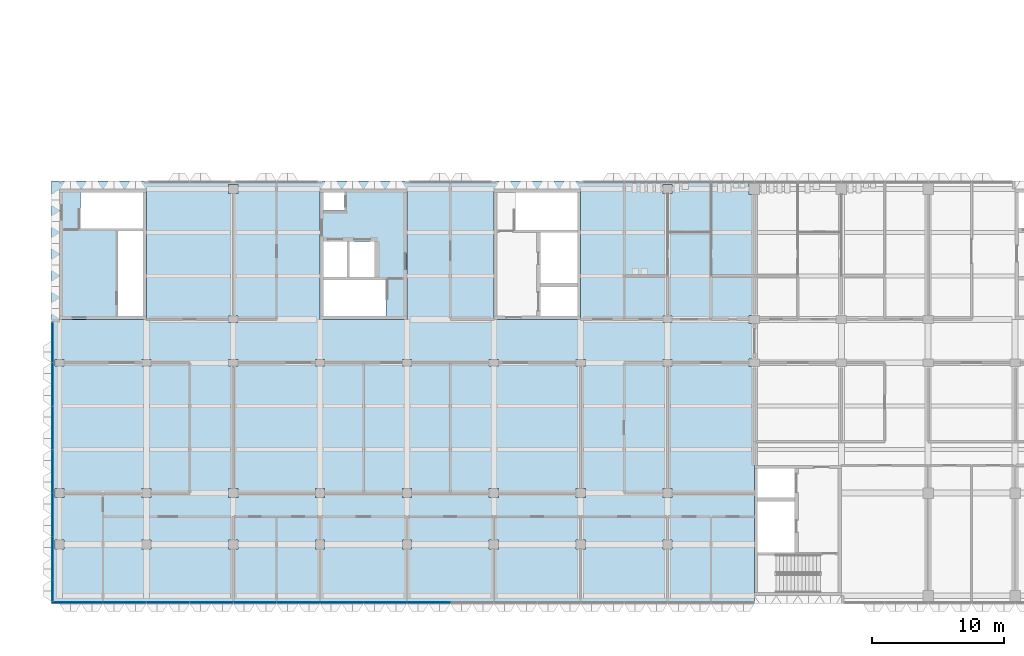
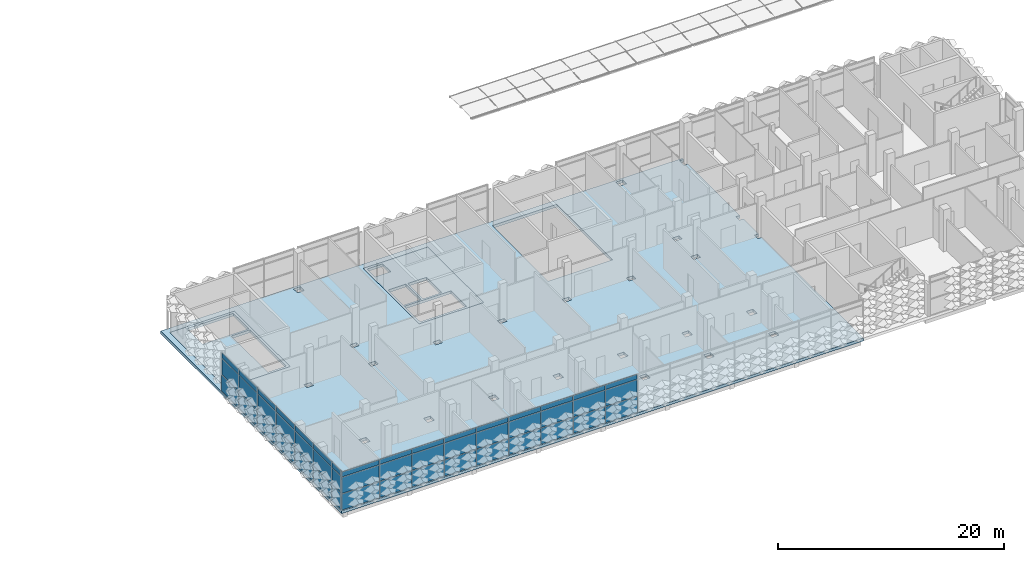
# One storey, part 14 of 61: 48 plates, 3 slabs, 2 elements without a shape of their own.
"""IFC4 building model written with IfcOpenShell, lengths in metres."""

from ifc_helpers import new_model, si_unit, direction, frame, origin, origin_2d, place, context, subcontext, project, spatial, polyline, rectangle, outline, extrude, material, layer, layer_set, type_object, element, aggregate, save


model = new_model("IFC4")

# Units and contexts
model_context = context("Model", 3, precision=1e-05, world=origin(), true_north=direction((0.0, 1.0)))
body_context = subcontext(model_context, "Body", "Model", "MODEL_VIEW")
ifc_project = project(units=[si_unit("LENGTHUNIT", "METRE"), si_unit("AREAUNIT", "SQUARE_METRE"), si_unit("VOLUMEUNIT", "CUBIC_METRE"), si_unit("PLANEANGLEUNIT", "RADIAN"), si_unit("MASSUNIT", "GRAM", prefix="KILO")], contexts=[model_context])

# Site, building, storey
site_placement = place(None, origin())
site = spatial("IfcSite", under=ifc_project, at=site_placement, CompositionType="ELEMENT")
building_placement = place(site_placement, origin())
building = spatial("IfcBuilding", under=site, at=building_placement, Name="Lantern Court Research Institute", CompositionType="ELEMENT")
storey_placement = place(building_placement, frame((0.0, 0.0, 23.39990234375)))
storey = spatial("IfcBuildingStorey", under=building, at=storey_placement, Name="L05", CompositionType="ELEMENT", Elevation=23.39990234375)

# Curtain wall, plates
ifc_material_1 = material(Name="Aluminium alloy 6063-T6", Category="aluminium")
curtain_wall_type_1 = type_object("IfcCurtainWallType", Name="Curtain wall 53400 x 4200 x 150 aluminium frame", PredefinedType="NOTDEFINED", material=ifc_material_1)
curtain_wall_1_placement = place(storey_placement, origin())
curtain_wall_1 = element("IfcCurtainWall", 1, at=curtain_wall_1_placement, inside=storey, type_object=curtain_wall_type_1, Name="Curtain wall CW072", PredefinedType="NOTDEFINED")
ifc_material_2 = material(Name="Insulated aluminium spandrel panel", Category="aluminium")
ifc_layer_1 = layer(ifc_material_2, 0.10009765625)
ifc_layer_set_1 = layer_set([ifc_layer_1], Name="Insulated aluminium spandrel panel")
plate_type_1 = type_object("IfcPlateType", Name="Insulated spandrel panel 100 mm for south sun", PredefinedType="CURTAIN_PANEL", material=ifc_layer_set_1)
plate_1_placement = place(storey_placement, frame((1.364990234375, -8.324951171875, 0.06005859375), z_axis=(0.0, 0.0, 1.0), x_axis=(-1.0, 0.0, 0.0)))
plate_1 = element("IfcPlate", 2, at=plate_1_placement, type_object=plate_type_1, Name="CW072 spandrel panel 1.1", PredefinedType="CURTAIN_PANEL", context=body_context, shape_type="SweptSolid", body=[
    extrude(rectangle(XDim=3.81005859375, YDim=0.10009765625, at=origin_2d()), origin(), (0.0, 0.0, 1.0), 1.7099609375),
])
plate_2_placement = place(storey_placement, frame((4.949951171875, -8.324951171875, 0.06005859375), z_axis=(0.0, 0.0, 1.0), x_axis=(-1.0, 0.0, 0.0)))
plate_2 = element("IfcPlate", 3, at=plate_2_placement, type_object=plate_type_1, Name="CW072 spandrel panel 2.1", PredefinedType="CURTAIN_PANEL", context=body_context, shape_type="SweptSolid", body=[
    extrude(rectangle(XDim=3.239990234375, YDim=0.10009765625, at=origin_2d()), origin(), (0.0, 0.0, 1.0), 1.7099609375),
])
plate_3_placement = place(storey_placement, frame((8.25, -8.324951171875, 0.06005859375), z_axis=(0.0, 0.0, 1.0), x_axis=(-1.0, 0.0, 0.0)))
plate_3 = element("IfcPlate", 4, at=plate_3_placement, type_object=plate_type_1, Name="CW072 spandrel panel 3.1", PredefinedType="CURTAIN_PANEL", context=body_context, shape_type="SweptSolid", body=[
    extrude(rectangle(XDim=3.239990234375, YDim=0.10009765625, at=origin_2d()), origin(), (0.0, 0.0, 1.0), 1.7099609375),
])
plate_4_placement = place(storey_placement, frame((11.550048828125, -8.324951171875, 0.06005859375), z_axis=(0.0, 0.0, 1.0), x_axis=(-1.0, 0.0, 0.0)))
plate_4 = element("IfcPlate", 5, at=plate_4_placement, type_object=plate_type_1, Name="CW072 spandrel panel 4.1", PredefinedType="CURTAIN_PANEL", context=body_context, shape_type="SweptSolid", body=[
    extrude(rectangle(XDim=3.239990234375, YDim=0.10009765625, at=origin_2d()), origin(), (0.0, 0.0, 1.0), 1.7099609375),
])
plate_5_placement = place(storey_placement, frame((14.85009765625, -8.324951171875, 0.06005859375), z_axis=(0.0, 0.0, 1.0), x_axis=(-1.0, 0.0, 0.0)))
plate_5 = element("IfcPlate", 6, at=plate_5_placement, type_object=plate_type_1, Name="CW072 spandrel panel 5.1", PredefinedType="CURTAIN_PANEL", context=body_context, shape_type="SweptSolid", body=[
    extrude(rectangle(XDim=3.239990234375, YDim=0.10009765625, at=origin_2d()), origin(), (0.0, 0.0, 1.0), 1.7099609375),
])
plate_6_placement = place(storey_placement, frame((18.14990234375, -8.324951171875, 0.06005859375), z_axis=(0.0, 0.0, 1.0), x_axis=(-1.0, 0.0, 0.0)))
plate_6 = element("IfcPlate", 7, at=plate_6_placement, type_object=plate_type_1, Name="CW072 spandrel panel 6.1", PredefinedType="CURTAIN_PANEL", context=body_context, shape_type="SweptSolid", body=[
    extrude(rectangle(XDim=3.239990234375, YDim=0.10009765625, at=origin_2d()), origin(), (0.0, 0.0, 1.0), 1.7099609375),
])
plate_7_placement = place(storey_placement, frame((21.449951171875, -8.324951171875, 0.06005859375), z_axis=(0.0, 0.0, 1.0), x_axis=(-1.0, 0.0, 0.0)))
plate_7 = element("IfcPlate", 8, at=plate_7_placement, type_object=plate_type_1, Name="CW072 spandrel panel 7.1", PredefinedType="CURTAIN_PANEL", context=body_context, shape_type="SweptSolid", body=[
    extrude(rectangle(XDim=3.239990234375, YDim=0.10009765625, at=origin_2d()), origin(), (0.0, 0.0, 1.0), 1.7099609375),
])
plate_8_placement = place(storey_placement, frame((24.75, -8.324951171875, 0.06005859375), z_axis=(0.0, 0.0, 1.0), x_axis=(-1.0, 0.0, 0.0)))
plate_8 = element("IfcPlate", 9, at=plate_8_placement, type_object=plate_type_1, Name="CW072 spandrel panel 8.1", PredefinedType="CURTAIN_PANEL", context=body_context, shape_type="SweptSolid", body=[
    extrude(rectangle(XDim=3.239990234375, YDim=0.10009765625, at=origin_2d()), origin(), (0.0, 0.0, 1.0), 1.7099609375),
])
plate_9_placement = place(storey_placement, frame((28.050048828125, -8.324951171875, 0.06005859375), z_axis=(0.0, 0.0, 1.0), x_axis=(-1.0, 0.0, 0.0)))
plate_9 = element("IfcPlate", 10, at=plate_9_placement, type_object=plate_type_1, Name="CW072 spandrel panel 9.1", PredefinedType="CURTAIN_PANEL", context=body_context, shape_type="SweptSolid", body=[
    extrude(rectangle(XDim=3.239990234375, YDim=0.10009765625, at=origin_2d()), origin(), (0.0, 0.0, 1.0), 1.7099609375),
])

ifc_material_3 = material(Name="Aluminium alloy 6063-T6", Category="aluminium")
curtain_wall_type_2 = type_object("IfcCurtainWallType", Name="Curtain wall 21250 x 4250 x 150 aluminium frame", PredefinedType="NOTDEFINED", material=ifc_material_3)
curtain_wall_2_placement = place(storey_placement, origin())
curtain_wall_2 = element("IfcCurtainWall", 11, at=curtain_wall_2_placement, inside=storey, type_object=curtain_wall_type_2, Name="Curtain wall CW073", PredefinedType="NOTDEFINED")
ifc_material_4 = material(Name="Insulated aluminium spandrel panel", Category="aluminium")
ifc_layer_2 = layer(ifc_material_4, 0.080078125)
ifc_layer_set_2 = layer_set([ifc_layer_2], Name="Insulated aluminium spandrel panel")
plate_type_2 = type_object("IfcPlateType", Name="Insulated spandrel panel 80 mm", PredefinedType="CURTAIN_PANEL", material=ifc_layer_set_2)
plate_10_placement = place(storey_placement, frame((-0.52490234375, -7.409912109375, 0.06005859375), z_axis=(0.0, 0.0, 1.0), x_axis=(0.0, 1.0, 0.0)))
plate_10 = element("IfcPlate", 12, at=plate_10_placement, type_object=plate_type_2, Name="CW073 spandrel panel 1.1", PredefinedType="CURTAIN_PANEL", context=body_context, shape_type="SweptSolid", body=[
    extrude(rectangle(XDim=1.56005859375, YDim=0.080078125, at=origin_2d()), origin(), (0.0, 0.0, 1.0), 1.7099609375),
])
plate_11_placement = place(storey_placement, frame((-0.52490234375, -4.949951171875, 0.06005859375), z_axis=(0.0, 0.0, 1.0), x_axis=(0.0, 1.0, 0.0)))
plate_11 = element("IfcPlate", 13, at=plate_11_placement, type_object=plate_type_2, Name="CW073 spandrel panel 2.1", PredefinedType="CURTAIN_PANEL", context=body_context, shape_type="SweptSolid", body=[
    extrude(rectangle(XDim=3.239990234375, YDim=0.080078125, at=origin_2d()), origin(), (0.0, 0.0, 1.0), 1.7099609375),
])
plate_12_placement = place(storey_placement, frame((-0.52490234375, -1.64990234375, 0.06005859375), z_axis=(0.0, 0.0, 1.0), x_axis=(0.0, 1.0, 0.0)))
plate_12 = element("IfcPlate", 14, at=plate_12_placement, type_object=plate_type_2, Name="CW073 spandrel panel 3.1", PredefinedType="CURTAIN_PANEL", context=body_context, shape_type="SweptSolid", body=[
    extrude(rectangle(XDim=3.239990234375, YDim=0.080078125, at=origin_2d()), origin(), (0.0, 0.0, 1.0), 1.7099609375),
])
plate_13_placement = place(storey_placement, frame((-0.52490234375, 1.64990234375, 0.06005859375), z_axis=(0.0, 0.0, 1.0), x_axis=(0.0, 1.0, 0.0)))
plate_13 = element("IfcPlate", 15, at=plate_13_placement, type_object=plate_type_2, Name="CW073 spandrel panel 4.1", PredefinedType="CURTAIN_PANEL", context=body_context, shape_type="SweptSolid", body=[
    extrude(rectangle(XDim=3.239990234375, YDim=0.080078125, at=origin_2d()), origin(), (0.0, 0.0, 1.0), 1.7099609375),
])
plate_14_placement = place(storey_placement, frame((-0.52490234375, 4.949951171875, 0.06005859375), z_axis=(0.0, 0.0, 1.0), x_axis=(0.0, 1.0, 0.0)))
plate_14 = element("IfcPlate", 16, at=plate_14_placement, type_object=plate_type_2, Name="CW073 spandrel panel 5.1", PredefinedType="CURTAIN_PANEL", context=body_context, shape_type="SweptSolid", body=[
    extrude(rectangle(XDim=3.239990234375, YDim=0.080078125, at=origin_2d()), origin(), (0.0, 0.0, 1.0), 1.7099609375),
])
plate_15_placement = place(storey_placement, frame((-0.52490234375, 8.25, 0.06005859375), z_axis=(0.0, 0.0, 1.0), x_axis=(0.0, 1.0, 0.0)))
plate_15 = element("IfcPlate", 17, at=plate_15_placement, type_object=plate_type_2, Name="CW073 spandrel panel 6.1", PredefinedType="CURTAIN_PANEL", context=body_context, shape_type="SweptSolid", body=[
    extrude(rectangle(XDim=3.239990234375, YDim=0.080078125, at=origin_2d()), origin(), (0.0, 0.0, 1.0), 1.7099609375),
])
plate_16_placement = place(storey_placement, frame((-0.52490234375, 11.43505859375, 0.06005859375), z_axis=(0.0, 0.0, 1.0), x_axis=(0.0, 1.0, 0.0)))
plate_16 = element("IfcPlate", 18, at=plate_16_placement, type_object=plate_type_2, Name="CW073 spandrel panel 7.1", PredefinedType="CURTAIN_PANEL", context=body_context, shape_type="SweptSolid", body=[
    extrude(rectangle(XDim=3.010009765625, YDim=0.080078125, at=origin_2d()), origin(), (0.0, 0.0, 1.0), 1.7099609375),
])
ifc_material_5 = material(Name="Laminated low-emissivity glass", Category="glass")
ifc_layer_3 = layer(ifc_material_5, 0.031982421875)
ifc_layer_set_3 = layer_set([ifc_layer_3], Name="Laminated low-emissivity glass")
plate_type_3 = type_object("IfcPlateType", Name="Laminated low-emissivity unit 32 mm", PredefinedType="CURTAIN_PANEL", material=ifc_layer_set_3)
plate_17_placement = place(storey_placement, frame((-0.52490234375, -7.409912109375, 1.830078125), z_axis=(0.0, 0.0, 1.0), x_axis=(0.0, 1.0, 0.0)))
plate_17 = element("IfcPlate", 19, at=plate_17_placement, type_object=plate_type_3, Name="CW073 glazed panel 1.2", PredefinedType="CURTAIN_PANEL", context=body_context, shape_type="SweptSolid", body=[
    extrude(rectangle(XDim=1.56005859375, YDim=0.031982421875, at=origin_2d()), origin(), (0.0, 0.0, 1.0), 1.739990234375),
])
plate_18_placement = place(storey_placement, frame((-0.52490234375, -7.409912109375, 3.630126953125), z_axis=(0.0, 0.0, 1.0), x_axis=(0.0, 1.0, 0.0)))
plate_18 = element("IfcPlate", 20, at=plate_18_placement, type_object=plate_type_3, Name="CW073 glazed panel 1.3", PredefinedType="CURTAIN_PANEL", context=body_context, shape_type="SweptSolid", body=[
    extrude(rectangle(XDim=1.56005859375, YDim=0.031982421875, at=origin_2d()), origin(), (0.0, 0.0, 1.0), 0.56005859375),
])
plate_19_placement = place(storey_placement, frame((-0.52490234375, -4.949951171875, 1.830078125), z_axis=(0.0, 0.0, 1.0), x_axis=(0.0, 1.0, 0.0)))
plate_19 = element("IfcPlate", 21, at=plate_19_placement, type_object=plate_type_3, Name="CW073 glazed panel 2.2", PredefinedType="CURTAIN_PANEL", context=body_context, shape_type="SweptSolid", body=[
    extrude(rectangle(XDim=3.239990234375, YDim=0.031982421875, at=origin_2d()), origin(), (0.0, 0.0, 1.0), 1.739990234375),
])
plate_20_placement = place(storey_placement, frame((-0.52490234375, -4.949951171875, 3.630126953125), z_axis=(0.0, 0.0, 1.0), x_axis=(0.0, 1.0, 0.0)))
plate_20 = element("IfcPlate", 22, at=plate_20_placement, type_object=plate_type_3, Name="CW073 glazed panel 2.3", PredefinedType="CURTAIN_PANEL", context=body_context, shape_type="SweptSolid", body=[
    extrude(rectangle(XDim=3.239990234375, YDim=0.031982421875, at=origin_2d()), origin(), (0.0, 0.0, 1.0), 0.56005859375),
])
plate_21_placement = place(storey_placement, frame((-0.52490234375, -1.64990234375, 1.830078125), z_axis=(0.0, 0.0, 1.0), x_axis=(0.0, 1.0, 0.0)))
plate_21 = element("IfcPlate", 23, at=plate_21_placement, type_object=plate_type_3, Name="CW073 glazed panel 3.2", PredefinedType="CURTAIN_PANEL", context=body_context, shape_type="SweptSolid", body=[
    extrude(rectangle(XDim=3.239990234375, YDim=0.031982421875, at=origin_2d()), origin(), (0.0, 0.0, 1.0), 1.739990234375),
])
plate_22_placement = place(storey_placement, frame((-0.52490234375, -1.64990234375, 3.630126953125), z_axis=(0.0, 0.0, 1.0), x_axis=(0.0, 1.0, 0.0)))
plate_22 = element("IfcPlate", 24, at=plate_22_placement, type_object=plate_type_3, Name="CW073 glazed panel 3.3", PredefinedType="CURTAIN_PANEL", context=body_context, shape_type="SweptSolid", body=[
    extrude(rectangle(XDim=3.239990234375, YDim=0.031982421875, at=origin_2d()), origin(), (0.0, 0.0, 1.0), 0.56005859375),
])
plate_23_placement = place(storey_placement, frame((-0.52490234375, 1.64990234375, 1.830078125), z_axis=(0.0, 0.0, 1.0), x_axis=(0.0, 1.0, 0.0)))
plate_23 = element("IfcPlate", 25, at=plate_23_placement, type_object=plate_type_3, Name="CW073 glazed panel 4.2", PredefinedType="CURTAIN_PANEL", context=body_context, shape_type="SweptSolid", body=[
    extrude(rectangle(XDim=3.239990234375, YDim=0.031982421875, at=origin_2d()), origin(), (0.0, 0.0, 1.0), 1.739990234375),
])
plate_24_placement = place(storey_placement, frame((-0.52490234375, 1.64990234375, 3.630126953125), z_axis=(0.0, 0.0, 1.0), x_axis=(0.0, 1.0, 0.0)))
plate_24 = element("IfcPlate", 26, at=plate_24_placement, type_object=plate_type_3, Name="CW073 glazed panel 4.3", PredefinedType="CURTAIN_PANEL", context=body_context, shape_type="SweptSolid", body=[
    extrude(rectangle(XDim=3.239990234375, YDim=0.031982421875, at=origin_2d()), origin(), (0.0, 0.0, 1.0), 0.56005859375),
])
plate_25_placement = place(storey_placement, frame((-0.52490234375, 4.949951171875, 1.830078125), z_axis=(0.0, 0.0, 1.0), x_axis=(0.0, 1.0, 0.0)))
plate_25 = element("IfcPlate", 27, at=plate_25_placement, type_object=plate_type_3, Name="CW073 glazed panel 5.2", PredefinedType="CURTAIN_PANEL", context=body_context, shape_type="SweptSolid", body=[
    extrude(rectangle(XDim=3.239990234375, YDim=0.031982421875, at=origin_2d()), origin(), (0.0, 0.0, 1.0), 1.739990234375),
])
plate_26_placement = place(storey_placement, frame((-0.52490234375, 4.949951171875, 3.630126953125), z_axis=(0.0, 0.0, 1.0), x_axis=(0.0, 1.0, 0.0)))
plate_26 = element("IfcPlate", 28, at=plate_26_placement, type_object=plate_type_3, Name="CW073 glazed panel 5.3", PredefinedType="CURTAIN_PANEL", context=body_context, shape_type="SweptSolid", body=[
    extrude(rectangle(XDim=3.239990234375, YDim=0.031982421875, at=origin_2d()), origin(), (0.0, 0.0, 1.0), 0.56005859375),
])
plate_27_placement = place(storey_placement, frame((-0.52490234375, 8.25, 1.830078125), z_axis=(0.0, 0.0, 1.0), x_axis=(0.0, 1.0, 0.0)))
plate_27 = element("IfcPlate", 29, at=plate_27_placement, type_object=plate_type_3, Name="CW073 glazed panel 6.2", PredefinedType="CURTAIN_PANEL", context=body_context, shape_type="SweptSolid", body=[
    extrude(rectangle(XDim=3.239990234375, YDim=0.031982421875, at=origin_2d()), origin(), (0.0, 0.0, 1.0), 1.739990234375),
])
plate_28_placement = place(storey_placement, frame((-0.52490234375, 8.25, 3.630126953125), z_axis=(0.0, 0.0, 1.0), x_axis=(0.0, 1.0, 0.0)))
plate_28 = element("IfcPlate", 30, at=plate_28_placement, type_object=plate_type_3, Name="CW073 glazed panel 6.3", PredefinedType="CURTAIN_PANEL", context=body_context, shape_type="SweptSolid", body=[
    extrude(rectangle(XDim=3.239990234375, YDim=0.031982421875, at=origin_2d()), origin(), (0.0, 0.0, 1.0), 0.56005859375),
])
plate_29_placement = place(storey_placement, frame((-0.52490234375, 11.43505859375, 1.830078125), z_axis=(0.0, 0.0, 1.0), x_axis=(0.0, 1.0, 0.0)))
plate_29 = element("IfcPlate", 31, at=plate_29_placement, type_object=plate_type_3, Name="CW073 glazed panel 7.2", PredefinedType="CURTAIN_PANEL", context=body_context, shape_type="SweptSolid", body=[
    extrude(rectangle(XDim=3.010009765625, YDim=0.031982421875, at=origin_2d()), origin(), (0.0, 0.0, 1.0), 1.739990234375),
])
plate_30_placement = place(storey_placement, frame((-0.52490234375, 11.43505859375, 3.630126953125), z_axis=(0.0, 0.0, 1.0), x_axis=(0.0, 1.0, 0.0)))
plate_30 = element("IfcPlate", 32, at=plate_30_placement, type_object=plate_type_3, Name="CW073 glazed panel 7.3", PredefinedType="CURTAIN_PANEL", context=body_context, shape_type="SweptSolid", body=[
    extrude(rectangle(XDim=3.010009765625, YDim=0.031982421875, at=origin_2d()), origin(), (0.0, 0.0, 1.0), 0.56005859375),
])
aggregate(curtain_wall_2, [plate_10, plate_17, plate_18, plate_11, plate_19, plate_20, plate_12, plate_21, plate_22, plate_13, plate_23, plate_24, plate_14, plate_25, plate_26, plate_15, plate_27, plate_28, plate_16, plate_29, plate_30])

# Slabs
ifc_material_6 = material(Name="Concrete C35/45", Category="concrete")
ifc_layer_4 = layer(ifc_material_6, 0.300048828125)
ifc_layer_set_4 = layer_set([ifc_layer_4], Name="Concrete C35/45")
slab_type_1 = type_object("IfcSlabType", Name="RC core floor slab 300", PredefinedType="FLOOR", material=ifc_layer_set_4)
slab_1_placement = place(storey_placement, frame((0.0, 0.0, -0.2998046875)))
element("IfcSlab", 33, at=slab_1_placement, inside=storey, type_object=slab_type_1, Name="Floor of core BC-W", PredefinedType="FLOOR", context=body_context, shape_type="SweptSolid", body=[
    extrude(outline(polyline([(0.0, 13.199951171875), (6.60009765625, 13.199951171875), (6.60009765625, 23.10009765625), (0.0, 23.10009765625), (0.0, 13.199951171875)]), holes=[polyline([(1.60009765625, 20.10009765625), (6.35009765625, 20.10009765625), (6.35009765625, 22.85009765625), (1.60009765625, 22.85009765625), (1.60009765625, 20.10009765625)]), polyline([(4.449951171875, 13.449951171875), (4.449951171875, 19.89990234375), (6.35009765625, 19.89990234375), (6.35009765625, 13.449951171875), (4.449951171875, 13.449951171875)])]), origin(), (0.0, 0.0, 1.0), 0.2998046875),
])
slab_2_placement = place(storey_placement, frame((0.0, 0.0, -0.2998046875)))
element("IfcSlab", 34, at=slab_2_placement, inside=storey, type_object=slab_type_1, Name="Floor of core BC-M", PredefinedType="FLOOR", context=body_context, shape_type="SweptSolid", body=[
    extrude(outline(polyline([(19.800048828125, 13.199951171875), (26.39990234375, 13.199951171875), (26.39990234375, 23.10009765625), (19.800048828125, 23.10009765625), (19.800048828125, 13.199951171875)]), holes=[polyline([(24.800048828125, 16.199951171875), (20.050048828125, 16.199951171875), (20.050048828125, 13.449951171875), (24.800048828125, 13.449951171875), (24.800048828125, 16.199951171875)]), polyline([(20.050048828125, 16.39990234375), (21.85009765625, 16.39990234375), (21.85009765625, 19.10009765625), (20.050048828125, 19.10009765625), (20.050048828125, 16.39990234375)]), polyline([(22.050048828125, 16.39990234375), (23.949951171875, 16.39990234375), (23.949951171875, 19.10009765625), (22.050048828125, 19.10009765625), (22.050048828125, 16.39990234375)]), polyline([(21.64990234375, 21.449951171875), (20.050048828125, 21.449951171875), (20.050048828125, 22.85009765625), (21.64990234375, 22.85009765625), (21.64990234375, 21.449951171875)])]), origin(), (0.0, 0.0, 1.0), 0.2998046875),
])
ifc_material_7 = material(Name="Concrete C35/45", Category="concrete")
ifc_layer_5 = layer(ifc_material_7, 0.300048828125)
ifc_layer_set_5 = layer_set([ifc_layer_5], Name="Concrete C35/45")
slab_type_2 = type_object("IfcSlabType", Name="RC floor slab 300", PredefinedType="FLOOR", material=ifc_layer_set_5)
slab_3_placement = place(storey_placement, frame((0.0, 0.0, -0.2998046875)))
element("IfcSlab", 35, at=slab_3_placement, inside=storey, type_object=slab_type_2, Name="Floor slab L05 Wet Laboratory Wing", PredefinedType="FLOOR", context=body_context, shape_type="SweptSolid", body=[
    extrude(outline(polyline([(-0.60009765625, -7.800048828125), (-0.60009765625, -8.39990234375), (52.800048828125, -8.39990234375), (52.800048828125, -7.800048828125), (52.800048828125, 2.10009765625), (52.800048828125, 9.60009765625), (52.39990234375, 9.60009765625), (52.39990234375, 10.199951171875), (52.800048828125, 10.199951171875), (52.800048828125, 12.89990234375), (52.39990234375, 12.89990234375), (52.39990234375, 13.5), (52.800048828125, 13.5), (52.800048828125, 22.699951171875), (52.39990234375, 22.699951171875), (52.39990234375, 23.5), (52.800048828125, 23.5), (52.800048828125, 23.699951171875), (-0.60009765625, 23.699951171875), (-0.60009765625, 23.10009765625), (-0.60009765625, -7.800048828125)]), holes=[polyline([(0.35009765625, -4.25), (-0.35009765625, -4.25), (-0.35009765625, -3.550048828125), (0.35009765625, -3.550048828125), (0.35009765625, -4.25)]), polyline([(6.949951171875, -4.25), (6.25, -4.25), (6.25, -3.550048828125), (6.949951171875, -3.550048828125), (6.949951171875, -4.25)]), polyline([(20.14990234375, -4.25), (19.449951171875, -4.25), (19.449951171875, -3.550048828125), (20.14990234375, -3.550048828125), (20.14990234375, -4.25)]), polyline([(13.550048828125, -4.25), (12.85009765625, -4.25), (12.85009765625, -3.550048828125), (13.550048828125, -3.550048828125), (13.550048828125, -4.25)]), polyline([(0.35009765625, -0.35009765625), (-0.35009765625, -0.35009765625), (-0.35009765625, 0.35009765625), (0.35009765625, 0.35009765625), (0.35009765625, -0.35009765625)]), polyline([(26.75, -0.35009765625), (26.050048828125, -0.35009765625), (26.050048828125, 0.35009765625), (26.75, 0.35009765625), (26.75, -0.35009765625)]), polyline([(6.949951171875, -0.35009765625), (6.25, -0.35009765625), (6.25, 0.35009765625), (6.949951171875, 0.35009765625), (6.949951171875, -0.35009765625)]), polyline([(19.449951171875, -0.35009765625), (19.449951171875, 0.35009765625), (20.14990234375, 0.35009765625), (20.14990234375, -0.35009765625), (19.449951171875, -0.35009765625)]), polyline([(12.85009765625, -0.35009765625), (12.85009765625, 0.35009765625), (13.550048828125, 0.35009765625), (13.550048828125, -0.35009765625), (12.85009765625, -0.35009765625)]), polyline([(26.75, 9.64990234375), (26.050048828125, 9.64990234375), (26.050048828125, 10.14990234375), (26.75, 10.14990234375), (26.75, 9.64990234375)]), polyline([(20.14990234375, 9.64990234375), (19.449951171875, 9.64990234375), (19.449951171875, 10.14990234375), (20.14990234375, 10.14990234375), (20.14990234375, 9.64990234375)]), polyline([(13.550048828125, 9.64990234375), (12.85009765625, 9.64990234375), (12.85009765625, 10.14990234375), (13.550048828125, 10.14990234375), (13.550048828125, 9.64990234375)]), polyline([(6.949951171875, 9.64990234375), (6.25, 9.64990234375), (6.25, 10.14990234375), (6.949951171875, 10.14990234375), (6.949951171875, 9.64990234375)]), polyline([(0.35009765625, 9.64990234375), (-0.35009765625, 9.64990234375), (-0.35009765625, 10.14990234375), (0.35009765625, 10.14990234375), (0.35009765625, 9.64990234375)]), polyline([(13.550048828125, 12.949951171875), (12.85009765625, 12.949951171875), (12.85009765625, 13.449951171875), (13.550048828125, 13.449951171875), (13.550048828125, 12.949951171875)]), polyline([(26.39990234375, 13.199951171875), (19.800048828125, 13.199951171875), (19.800048828125, 23.10009765625), (26.39990234375, 23.10009765625), (26.39990234375, 13.199951171875)]), polyline([(0.0, 13.199951171875), (0.0, 23.10009765625), (6.60009765625, 23.10009765625), (6.60009765625, 13.199951171875), (0.0, 13.199951171875)]), polyline([(12.85009765625, 22.75), (12.85009765625, 23.449951171875), (13.550048828125, 23.449951171875), (13.550048828125, 22.75), (12.85009765625, 22.75)]), polyline([(26.75, -4.25), (26.050048828125, -4.25), (26.050048828125, -3.550048828125), (26.75, -3.550048828125), (26.75, -4.25)]), polyline([(33.35009765625, -4.25), (32.64990234375, -4.25), (32.64990234375, -3.550048828125), (33.35009765625, -3.550048828125), (33.35009765625, -4.25)]), polyline([(39.949951171875, -4.25), (39.25, -4.25), (39.25, -3.550048828125), (39.949951171875, -3.550048828125), (39.949951171875, -4.25)]), polyline([(46.550048828125, -4.25), (45.85009765625, -4.25), (45.85009765625, -3.550048828125), (46.550048828125, -3.550048828125), (46.550048828125, -4.25)]), polyline([(33.35009765625, -0.35009765625), (32.64990234375, -0.35009765625), (32.64990234375, 0.35009765625), (33.35009765625, 0.35009765625), (33.35009765625, -0.35009765625)]), polyline([(39.949951171875, -0.35009765625), (39.25, -0.35009765625), (39.25, 0.35009765625), (39.949951171875, 0.35009765625), (39.949951171875, -0.35009765625)]), polyline([(45.85009765625, -0.35009765625), (45.85009765625, 0.35009765625), (46.550048828125, 0.35009765625), (46.550048828125, -0.35009765625), (45.85009765625, -0.35009765625)]), polyline([(32.64990234375, 9.64990234375), (32.64990234375, 10.14990234375), (33.35009765625, 10.14990234375), (33.35009765625, 9.64990234375), (32.64990234375, 9.64990234375)]), polyline([(46.550048828125, 9.64990234375), (45.85009765625, 9.64990234375), (45.85009765625, 10.14990234375), (46.550048828125, 10.14990234375), (46.550048828125, 9.64990234375)]), polyline([(39.949951171875, 9.64990234375), (39.25, 9.64990234375), (39.25, 10.14990234375), (39.949951171875, 10.14990234375), (39.949951171875, 9.64990234375)]), polyline([(46.550048828125, 12.949951171875), (45.85009765625, 12.949951171875), (45.85009765625, 13.449951171875), (46.550048828125, 13.449951171875), (46.550048828125, 12.949951171875)]), polyline([(39.60009765625, 13.199951171875), (33.0, 13.199951171875), (33.0, 23.10009765625), (39.60009765625, 23.10009765625), (39.60009765625, 13.199951171875)]), polyline([(45.85009765625, 22.75), (45.85009765625, 23.449951171875), (46.550048828125, 23.449951171875), (46.550048828125, 22.75), (45.85009765625, 22.75)])]), origin(), (0.0, 0.0, 1.0), 0.2998046875),
])

# Plate
ifc_material_8 = material(Name="Laminated low-emissivity glass", Category="glass")
ifc_layer_6 = layer(ifc_material_8, 0.035888671875)
ifc_layer_set_6 = layer_set([ifc_layer_6], Name="Laminated low-emissivity glass")
plate_type_4 = type_object("IfcPlateType", Name="Solar control laminated unit 36 mm", PredefinedType="CURTAIN_PANEL", material=ifc_layer_set_6)
plate_31_placement = place(storey_placement, frame((1.364990234375, -8.324951171875, 1.830078125), z_axis=(0.0, 0.0, 1.0), x_axis=(-1.0, 0.0, 0.0)))
plate_31 = element("IfcPlate", 36, at=plate_31_placement, type_object=plate_type_4, Name="CW072 glazed panel 1.2", PredefinedType="CURTAIN_PANEL", context=body_context, shape_type="SweptSolid", body=[
    extrude(rectangle(XDim=3.81005859375, YDim=0.035888671875, at=origin_2d()), origin(), (0.0, 0.0, 1.0), 1.739990234375),
])

plate_32_placement = place(storey_placement, frame((1.364990234375, -8.324951171875, 3.6298828125), z_axis=(0.0, 0.0, 1.0), x_axis=(-1.0, 0.0, 0.0)))
plate_32 = element("IfcPlate", 37, at=plate_32_placement, type_object=plate_type_4, Name="CW072 glazed panel 1.3", PredefinedType="CURTAIN_PANEL", context=body_context, shape_type="SweptSolid", body=[
    extrude(rectangle(XDim=3.81005859375, YDim=0.035888671875, at=origin_2d()), origin(), (0.0, 0.0, 1.0), 0.510009765625),
])

plate_33_placement = place(storey_placement, frame((4.949951171875, -8.324951171875, 1.830078125), z_axis=(0.0, 0.0, 1.0), x_axis=(-1.0, 0.0, 0.0)))
plate_33 = element("IfcPlate", 38, at=plate_33_placement, type_object=plate_type_4, Name="CW072 glazed panel 2.2", PredefinedType="CURTAIN_PANEL", context=body_context, shape_type="SweptSolid", body=[
    extrude(rectangle(XDim=3.239990234375, YDim=0.035888671875, at=origin_2d()), origin(), (0.0, 0.0, 1.0), 1.739990234375),
])

plate_34_placement = place(storey_placement, frame((4.949951171875, -8.324951171875, 3.6298828125), z_axis=(0.0, 0.0, 1.0), x_axis=(-1.0, 0.0, 0.0)))
plate_34 = element("IfcPlate", 39, at=plate_34_placement, type_object=plate_type_4, Name="CW072 glazed panel 2.3", PredefinedType="CURTAIN_PANEL", context=body_context, shape_type="SweptSolid", body=[
    extrude(rectangle(XDim=3.239990234375, YDim=0.035888671875, at=origin_2d()), origin(), (0.0, 0.0, 1.0), 0.510009765625),
])

plate_35_placement = place(storey_placement, frame((8.25, -8.324951171875, 1.830078125), z_axis=(0.0, 0.0, 1.0), x_axis=(-1.0, 0.0, 0.0)))
plate_35 = element("IfcPlate", 40, at=plate_35_placement, type_object=plate_type_4, Name="CW072 glazed panel 3.2", PredefinedType="CURTAIN_PANEL", context=body_context, shape_type="SweptSolid", body=[
    extrude(rectangle(XDim=3.239990234375, YDim=0.035888671875, at=origin_2d()), origin(), (0.0, 0.0, 1.0), 1.739990234375),
])

plate_36_placement = place(storey_placement, frame((8.25, -8.324951171875, 3.6298828125), z_axis=(0.0, 0.0, 1.0), x_axis=(-1.0, 0.0, 0.0)))
plate_36 = element("IfcPlate", 41, at=plate_36_placement, type_object=plate_type_4, Name="CW072 glazed panel 3.3", PredefinedType="CURTAIN_PANEL", context=body_context, shape_type="SweptSolid", body=[
    extrude(rectangle(XDim=3.239990234375, YDim=0.035888671875, at=origin_2d()), origin(), (0.0, 0.0, 1.0), 0.510009765625),
])

plate_37_placement = place(storey_placement, frame((11.550048828125, -8.324951171875, 1.830078125), z_axis=(0.0, 0.0, 1.0), x_axis=(-1.0, 0.0, 0.0)))
plate_37 = element("IfcPlate", 42, at=plate_37_placement, type_object=plate_type_4, Name="CW072 glazed panel 4.2", PredefinedType="CURTAIN_PANEL", context=body_context, shape_type="SweptSolid", body=[
    extrude(rectangle(XDim=3.239990234375, YDim=0.035888671875, at=origin_2d()), origin(), (0.0, 0.0, 1.0), 1.739990234375),
])

plate_38_placement = place(storey_placement, frame((11.550048828125, -8.324951171875, 3.6298828125), z_axis=(0.0, 0.0, 1.0), x_axis=(-1.0, 0.0, 0.0)))
plate_38 = element("IfcPlate", 43, at=plate_38_placement, type_object=plate_type_4, Name="CW072 glazed panel 4.3", PredefinedType="CURTAIN_PANEL", context=body_context, shape_type="SweptSolid", body=[
    extrude(rectangle(XDim=3.239990234375, YDim=0.035888671875, at=origin_2d()), origin(), (0.0, 0.0, 1.0), 0.510009765625),
])

plate_39_placement = place(storey_placement, frame((14.85009765625, -8.324951171875, 1.830078125), z_axis=(0.0, 0.0, 1.0), x_axis=(-1.0, 0.0, 0.0)))
plate_39 = element("IfcPlate", 44, at=plate_39_placement, type_object=plate_type_4, Name="CW072 glazed panel 5.2", PredefinedType="CURTAIN_PANEL", context=body_context, shape_type="SweptSolid", body=[
    extrude(rectangle(XDim=3.239990234375, YDim=0.035888671875, at=origin_2d()), origin(), (0.0, 0.0, 1.0), 1.739990234375),
])

plate_40_placement = place(storey_placement, frame((14.85009765625, -8.324951171875, 3.6298828125), z_axis=(0.0, 0.0, 1.0), x_axis=(-1.0, 0.0, 0.0)))
plate_40 = element("IfcPlate", 45, at=plate_40_placement, type_object=plate_type_4, Name="CW072 glazed panel 5.3", PredefinedType="CURTAIN_PANEL", context=body_context, shape_type="SweptSolid", body=[
    extrude(rectangle(XDim=3.239990234375, YDim=0.035888671875, at=origin_2d()), origin(), (0.0, 0.0, 1.0), 0.510009765625),
])

plate_41_placement = place(storey_placement, frame((18.14990234375, -8.324951171875, 1.830078125), z_axis=(0.0, 0.0, 1.0), x_axis=(-1.0, 0.0, 0.0)))
plate_41 = element("IfcPlate", 46, at=plate_41_placement, type_object=plate_type_4, Name="CW072 glazed panel 6.2", PredefinedType="CURTAIN_PANEL", context=body_context, shape_type="SweptSolid", body=[
    extrude(rectangle(XDim=3.239990234375, YDim=0.035888671875, at=origin_2d()), origin(), (0.0, 0.0, 1.0), 1.739990234375),
])

plate_42_placement = place(storey_placement, frame((18.14990234375, -8.324951171875, 3.6298828125), z_axis=(0.0, 0.0, 1.0), x_axis=(-1.0, 0.0, 0.0)))
plate_42 = element("IfcPlate", 47, at=plate_42_placement, type_object=plate_type_4, Name="CW072 glazed panel 6.3", PredefinedType="CURTAIN_PANEL", context=body_context, shape_type="SweptSolid", body=[
    extrude(rectangle(XDim=3.239990234375, YDim=0.035888671875, at=origin_2d()), origin(), (0.0, 0.0, 1.0), 0.510009765625),
])

plate_43_placement = place(storey_placement, frame((21.449951171875, -8.324951171875, 1.830078125), z_axis=(0.0, 0.0, 1.0), x_axis=(-1.0, 0.0, 0.0)))
plate_43 = element("IfcPlate", 48, at=plate_43_placement, type_object=plate_type_4, Name="CW072 glazed panel 7.2", PredefinedType="CURTAIN_PANEL", context=body_context, shape_type="SweptSolid", body=[
    extrude(rectangle(XDim=3.239990234375, YDim=0.035888671875, at=origin_2d()), origin(), (0.0, 0.0, 1.0), 1.739990234375),
])

plate_44_placement = place(storey_placement, frame((21.449951171875, -8.324951171875, 3.6298828125), z_axis=(0.0, 0.0, 1.0), x_axis=(-1.0, 0.0, 0.0)))
plate_44 = element("IfcPlate", 49, at=plate_44_placement, type_object=plate_type_4, Name="CW072 glazed panel 7.3", PredefinedType="CURTAIN_PANEL", context=body_context, shape_type="SweptSolid", body=[
    extrude(rectangle(XDim=3.239990234375, YDim=0.035888671875, at=origin_2d()), origin(), (0.0, 0.0, 1.0), 0.510009765625),
])

plate_45_placement = place(storey_placement, frame((24.75, -8.324951171875, 1.830078125), z_axis=(0.0, 0.0, 1.0), x_axis=(-1.0, 0.0, 0.0)))
plate_45 = element("IfcPlate", 50, at=plate_45_placement, type_object=plate_type_4, Name="CW072 glazed panel 8.2", PredefinedType="CURTAIN_PANEL", context=body_context, shape_type="SweptSolid", body=[
    extrude(rectangle(XDim=3.239990234375, YDim=0.035888671875, at=origin_2d()), origin(), (0.0, 0.0, 1.0), 1.739990234375),
])

plate_46_placement = place(storey_placement, frame((24.75, -8.324951171875, 3.6298828125), z_axis=(0.0, 0.0, 1.0), x_axis=(-1.0, 0.0, 0.0)))
plate_46 = element("IfcPlate", 51, at=plate_46_placement, type_object=plate_type_4, Name="CW072 glazed panel 8.3", PredefinedType="CURTAIN_PANEL", context=body_context, shape_type="SweptSolid", body=[
    extrude(rectangle(XDim=3.239990234375, YDim=0.035888671875, at=origin_2d()), origin(), (0.0, 0.0, 1.0), 0.510009765625),
])

plate_47_placement = place(storey_placement, frame((28.050048828125, -8.324951171875, 1.830078125), z_axis=(0.0, 0.0, 1.0), x_axis=(-1.0, 0.0, 0.0)))
plate_47 = element("IfcPlate", 52, at=plate_47_placement, type_object=plate_type_4, Name="CW072 glazed panel 9.2", PredefinedType="CURTAIN_PANEL", context=body_context, shape_type="SweptSolid", body=[
    extrude(rectangle(XDim=3.239990234375, YDim=0.035888671875, at=origin_2d()), origin(), (0.0, 0.0, 1.0), 1.739990234375),
])

plate_48_placement = place(storey_placement, frame((28.050048828125, -8.324951171875, 3.6298828125), z_axis=(0.0, 0.0, 1.0), x_axis=(-1.0, 0.0, 0.0)))
plate_48 = element("IfcPlate", 53, at=plate_48_placement, type_object=plate_type_4, Name="CW072 glazed panel 9.3", PredefinedType="CURTAIN_PANEL", context=body_context, shape_type="SweptSolid", body=[
    extrude(rectangle(XDim=3.239990234375, YDim=0.035888671875, at=origin_2d()), origin(), (0.0, 0.0, 1.0), 0.510009765625),
])

aggregate(curtain_wall_1, [plate_1, plate_31, plate_32, plate_2, plate_33, plate_34, plate_3, plate_35, plate_36, plate_4, plate_37, plate_38, plate_5, plate_39, plate_40, plate_6, plate_41, plate_42, plate_7, plate_43, plate_44, plate_8, plate_45, plate_46, plate_9, plate_47, plate_48])

save(model, "model.ifc")
